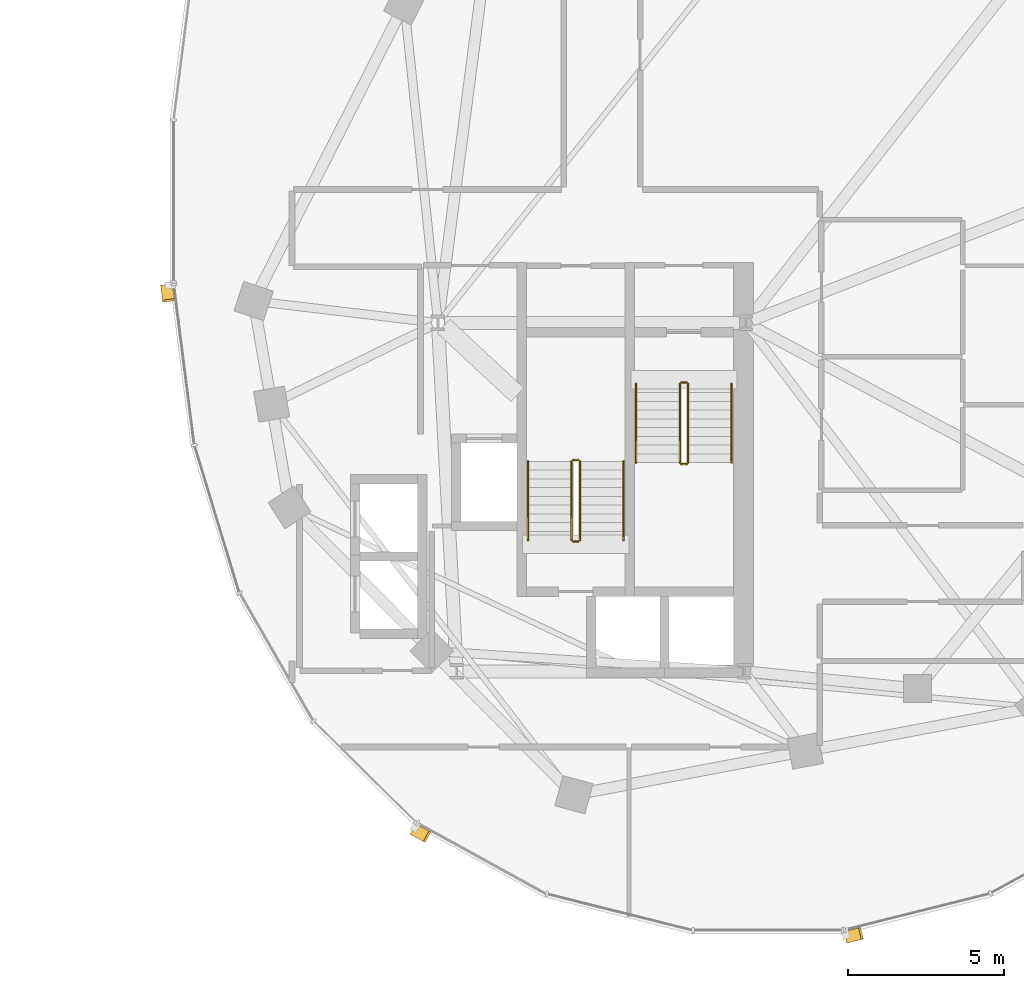
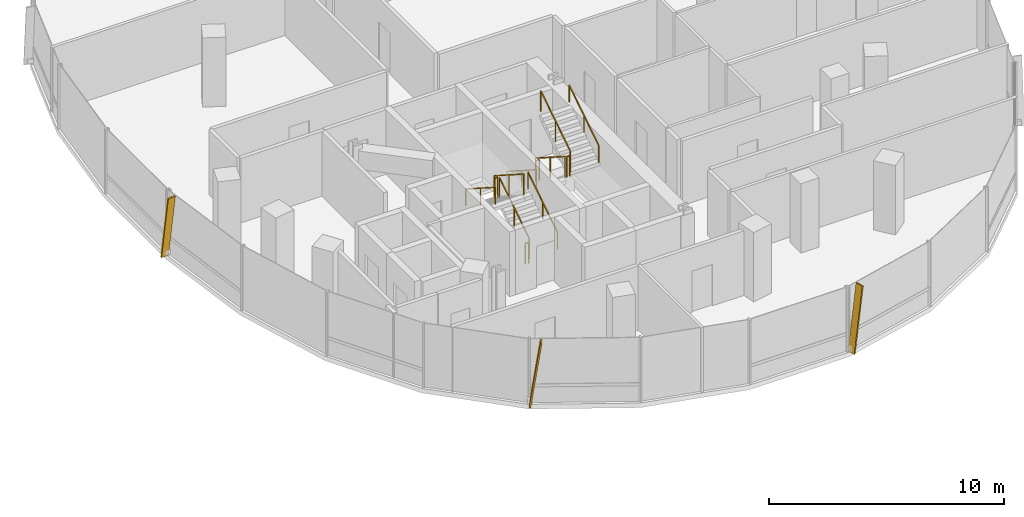
# One storey, part 21 of 22: 12 railings, 3 shading devices.
"""IFC4 building model written with IfcOpenShell, lengths in metres."""

from ifc_helpers import new_model, si_unit, direction, frame, origin, origin_2d, place, context, subcontext, project, spatial, rectangle, extrude, material, material_profile, profile_set, type_object, element, save


model = new_model("IFC4")

# Units and contexts
model_context = context("Model", 3, precision=1e-05, world=origin(), true_north=direction((0.0, 1.0)))
body_context = subcontext(model_context, "Body", "Model", "MODEL_VIEW")
ifc_project = project(units=[si_unit("LENGTHUNIT", "METRE"), si_unit("AREAUNIT", "SQUARE_METRE"), si_unit("VOLUMEUNIT", "CUBIC_METRE"), si_unit("PLANEANGLEUNIT", "RADIAN"), si_unit("MASSUNIT", "GRAM", prefix="KILO"), si_unit("THERMODYNAMICTEMPERATUREUNIT", "KELVIN"), si_unit("POWERUNIT", "WATT")], contexts=[model_context])

# Site, building, storey
site_placement = place(None, origin())
site = spatial("IfcSite", under=ifc_project, at=site_placement, CompositionType="ELEMENT")
building_placement = place(site_placement, origin())
building = spatial("IfcBuilding", under=site, at=building_placement, Name="Cundina Bronze Exchange", CompositionType="ELEMENT")
storey_placement = place(building_placement, frame((0.0, 0.0, 147.60009765625)))
storey = spatial("IfcBuildingStorey", under=building, at=storey_placement, Name="L38", CompositionType="ELEMENT", Elevation=147.60009765625)

# Railings
ifc_material_1 = material(Name="Steel ASTM A36 Painted", Category="steel")
railing_type_1 = type_object("IfcRailingType", Name="RLG-HND-900", PredefinedType="HANDRAIL", material=ifc_material_1)
railing_1_placement = place(storey_placement, frame((27.7900390625, -5.85009765625, 0.179931640625)))
element("IfcRailing", 1, at=railing_1_placement, inside=storey, type_object=railing_type_1, Name="L38 ST-E1 stair handrail 1", PredefinedType="HANDRAIL", context=body_context, shape_type="SweptSolid", body=[
    extrude(rectangle(XDim=0.048095703125, YDim=0.048095703125, at=origin_2d()), frame((0.0, 0.0, 0.8759765625), z_axis=(0.0, -0.841199657755, 0.540724639528), x_axis=(1.0, 0.0, 0.0)), (0.0, 0.0, 1.0), 2.995849609375),
    extrude(rectangle(XDim=0.0419921875, YDim=0.0419921875, at=origin_2d()), origin(), (0.0, 0.0, 1.0), 0.851806640625),
    extrude(rectangle(XDim=0.0419921875, YDim=0.0419921875, at=origin_2d()), frame((0.0, -1.260009765625, 0.81005859375)), (0.0, 0.0, 1.0), 0.851806640625),
    extrude(rectangle(XDim=0.0419921875, YDim=0.0419921875, at=origin_2d()), frame((0.0, -2.52001953125, 1.619873046875)), (0.0, 0.0, 1.0), 0.851806640625),
])
for number, where, name in (
    (2, (30.85009765625, -8.3701171875, 1.97998046875), "L38 ST-E1 stair handrail 2"),
    (3, (27.389892578125, -10.85009765625, 0.179931640625), "L38 ST-E2 stair handrail 1"),
):
    element("IfcRailing", number, at=place(storey_placement, frame(where)), inside=storey, type_object=railing_type_1, Name=name, PredefinedType="HANDRAIL", context=body_context, shape_type="SweptSolid", body=[
        extrude(rectangle(XDim=0.048095703125, YDim=0.048095703125, at=origin_2d()), frame((0.0, 0.0, 0.8759765625), z_axis=(0.0, 0.841199657755, 0.540724639528), x_axis=(-1.0, 0.0, 0.0)), (0.0, 0.0, 1.0), 2.995849609375),
        extrude(rectangle(XDim=0.0419921875, YDim=0.0419921875, at=origin_2d()), origin(), (0.0, 0.0, 1.0), 0.851806640625),
        extrude(rectangle(XDim=0.0419921875, YDim=0.0419921875, at=origin_2d()), frame((0.0, 1.260009765625, 0.81005859375)), (0.0, 0.0, 1.0), 0.851806640625),
        extrude(rectangle(XDim=0.0419921875, YDim=0.0419921875, at=origin_2d()), frame((0.0, 2.52001953125, 1.619873046875)), (0.0, 0.0, 1.0), 0.851806640625),
    ])
railing_2_placement = place(storey_placement, frame((24.330078125, -8.330078125, 1.97998046875)))
element("IfcRailing", 4, at=railing_2_placement, inside=storey, type_object=railing_type_1, Name="L38 ST-E2 stair handrail 2", PredefinedType="HANDRAIL", context=body_context, shape_type="SweptSolid", body=[
    extrude(rectangle(XDim=0.048095703125, YDim=0.048095703125, at=origin_2d()), frame((0.0, 0.0, 0.8759765625), z_axis=(0.0, -0.841199657755, 0.540724639528), x_axis=(1.0, 0.0, 0.0)), (0.0, 0.0, 1.0), 2.995849609375),
    extrude(rectangle(XDim=0.0419921875, YDim=0.0419921875, at=origin_2d()), origin(), (0.0, 0.0, 1.0), 0.851806640625),
    extrude(rectangle(XDim=0.0419921875, YDim=0.0419921875, at=origin_2d()), frame((0.0, -1.260009765625, 0.81005859375)), (0.0, 0.0, 1.0), 0.851806640625),
    extrude(rectangle(XDim=0.0419921875, YDim=0.0419921875, at=origin_2d()), frame((0.0, -2.52001953125, 1.619873046875)), (0.0, 0.0, 1.0), 0.851806640625),
])
railing_type_2 = type_object("IfcRailingType", Name="RLG-STG-1100", PredefinedType="GUARDRAIL", material=ifc_material_1)
railing_3_placement = place(storey_placement, frame((29.18994140625, -5.85009765625, 0.179931640625)))
element("IfcRailing", 5, at=railing_3_placement, inside=storey, type_object=railing_type_2, Name="L38 ST-E1 stair guard 1", PredefinedType="GUARDRAIL", context=body_context, shape_type="SweptSolid", body=[
    extrude(rectangle(XDim=0.048095703125, YDim=0.048095703125, at=origin_2d()), frame((0.0, 0.0, 1.076171875), z_axis=(0.0, -0.841199657755, 0.540724639528), x_axis=(1.0, 0.0, 0.0)), (0.0, 0.0, 1.0), 2.995849609375),
    extrude(rectangle(XDim=0.0419921875, YDim=0.0419921875, at=origin_2d()), origin(), (0.0, 0.0, 1.0), 1.052001953125),
    extrude(rectangle(XDim=0.0419921875, YDim=0.0419921875, at=origin_2d()), frame((0.0, -1.260009765625, 0.81005859375)), (0.0, 0.0, 1.0), 1.052001953125),
    extrude(rectangle(XDim=0.0419921875, YDim=0.0419921875, at=origin_2d()), frame((0.0, -2.52001953125, 1.619873046875)), (0.0, 0.0, 1.0), 1.052001953125),
])
railing_4_placement = place(storey_placement, frame((29.239990234375, -8.419921875, 1.7998046875)))
element("IfcRailing", 6, at=railing_4_placement, inside=storey, type_object=railing_type_2, Name="L38 ST-E1 stair guard 2", PredefinedType="GUARDRAIL", context=body_context, shape_type="SweptSolid", body=[
    extrude(rectangle(XDim=0.048095703125, YDim=0.048095703125, at=origin_2d()), frame((0.0, 0.0, 1.076171875), z_axis=(1.0, 0.0, 0.0), x_axis=(0.0, 1.0, 0.0)), (0.0, 0.0, 1.0), 0.159912109375),
    extrude(rectangle(XDim=0.0419921875, YDim=0.0419921875, at=origin_2d()), origin(), (0.0, 0.0, 1.0), 1.052001953125),
    extrude(rectangle(XDim=0.0419921875, YDim=0.0419921875, at=origin_2d()), frame((0.159912109375, 0.0, 0.0)), (0.0, 0.0, 1.0), 1.052001953125),
])
railing_5_placement = place(storey_placement, frame((29.449951171875, -8.3701171875, 1.97998046875)))
element("IfcRailing", 7, at=railing_5_placement, inside=storey, type_object=railing_type_2, Name="L38 ST-E1 stair guard 3", PredefinedType="GUARDRAIL", context=body_context, shape_type="SweptSolid", body=[
    extrude(rectangle(XDim=0.048095703125, YDim=0.048095703125, at=origin_2d()), frame((0.0, 0.0, 1.076171875), z_axis=(0.0, 0.841199657755, 0.540724639528), x_axis=(-1.0, 0.0, 0.0)), (0.0, 0.0, 1.0), 2.995849609375),
    extrude(rectangle(XDim=0.0419921875, YDim=0.0419921875, at=origin_2d()), origin(), (0.0, 0.0, 1.0), 1.052001953125),
    extrude(rectangle(XDim=0.0419921875, YDim=0.0419921875, at=origin_2d()), frame((0.0, 1.260009765625, 0.81005859375)), (0.0, 0.0, 1.0), 1.052001953125),
    extrude(rectangle(XDim=0.0419921875, YDim=0.0419921875, at=origin_2d()), frame((0.0, 2.52001953125, 1.619873046875)), (0.0, 0.0, 1.0), 1.052001953125),
])
railing_6_placement = place(storey_placement, frame((29.239990234375, -5.800048828125, 0.0)))
element("IfcRailing", 8, at=railing_6_placement, inside=storey, type_object=railing_type_2, Name="L38 ST-E1 stair guard 4", PredefinedType="GUARDRAIL", context=body_context, shape_type="SweptSolid", body=[
    extrude(rectangle(XDim=0.048095703125, YDim=0.048095703125, at=origin_2d()), frame((0.0, 0.0, 1.076171875), z_axis=(1.0, 0.0, 0.0), x_axis=(0.0, 1.0, 0.0)), (0.0, 0.0, 1.0), 0.159912109375),
    extrude(rectangle(XDim=0.0419921875, YDim=0.0419921875, at=origin_2d()), origin(), (0.0, 0.0, 1.0), 1.052001953125),
    extrude(rectangle(XDim=0.0419921875, YDim=0.0419921875, at=origin_2d()), frame((0.159912109375, 0.0, 0.0)), (0.0, 0.0, 1.0), 1.052001953125),
])
railing_7_placement = place(storey_placement, frame((25.989990234375, -10.85009765625, 0.179931640625)))
element("IfcRailing", 9, at=railing_7_placement, inside=storey, type_object=railing_type_2, Name="L38 ST-E2 stair guard 1", PredefinedType="GUARDRAIL", context=body_context, shape_type="SweptSolid", body=[
    extrude(rectangle(XDim=0.048095703125, YDim=0.048095703125, at=origin_2d()), frame((0.0, 0.0, 1.076171875), z_axis=(0.0, 0.841199657755, 0.540724639528), x_axis=(-1.0, 0.0, 0.0)), (0.0, 0.0, 1.0), 2.995849609375),
    extrude(rectangle(XDim=0.0419921875, YDim=0.0419921875, at=origin_2d()), origin(), (0.0, 0.0, 1.0), 1.052001953125),
    extrude(rectangle(XDim=0.0419921875, YDim=0.0419921875, at=origin_2d()), frame((0.0, 1.260009765625, 0.81005859375)), (0.0, 0.0, 1.0), 1.052001953125),
    extrude(rectangle(XDim=0.0419921875, YDim=0.0419921875, at=origin_2d()), frame((0.0, 2.52001953125, 1.619873046875)), (0.0, 0.0, 1.0), 1.052001953125),
])
railing_8_placement = place(storey_placement, frame((25.93994140625, -8.280029296875, 1.7998046875)))
element("IfcRailing", 10, at=railing_8_placement, inside=storey, type_object=railing_type_2, Name="L38 ST-E2 stair guard 2", PredefinedType="GUARDRAIL", context=body_context, shape_type="SweptSolid", body=[
    extrude(rectangle(XDim=0.048095703125, YDim=0.048095703125, at=origin_2d()), frame((0.0, 0.0, 1.076171875), z_axis=(-1.0, 0.0, 0.0), x_axis=(0.0, -1.0, 0.0)), (0.0, 0.0, 1.0), 0.159912109375),
    extrude(rectangle(XDim=0.0419921875, YDim=0.0419921875, at=origin_2d()), origin(), (0.0, 0.0, 1.0), 1.052001953125),
    extrude(rectangle(XDim=0.0419921875, YDim=0.0419921875, at=origin_2d()), frame((-0.159912109375, 0.0, 0.0)), (0.0, 0.0, 1.0), 1.052001953125),
])
railing_9_placement = place(storey_placement, frame((25.72998046875, -8.330078125, 1.97998046875)))
element("IfcRailing", 11, at=railing_9_placement, inside=storey, type_object=railing_type_2, Name="L38 ST-E2 stair guard 3", PredefinedType="GUARDRAIL", context=body_context, shape_type="SweptSolid", body=[
    extrude(rectangle(XDim=0.048095703125, YDim=0.048095703125, at=origin_2d()), frame((0.0, 0.0, 1.076171875), z_axis=(0.0, -0.841199657755, 0.540724639528), x_axis=(1.0, 0.0, 0.0)), (0.0, 0.0, 1.0), 2.995849609375),
    extrude(rectangle(XDim=0.0419921875, YDim=0.0419921875, at=origin_2d()), origin(), (0.0, 0.0, 1.0), 1.052001953125),
    extrude(rectangle(XDim=0.0419921875, YDim=0.0419921875, at=origin_2d()), frame((0.0, -1.260009765625, 0.81005859375)), (0.0, 0.0, 1.0), 1.052001953125),
    extrude(rectangle(XDim=0.0419921875, YDim=0.0419921875, at=origin_2d()), frame((0.0, -2.52001953125, 1.619873046875)), (0.0, 0.0, 1.0), 1.052001953125),
])
railing_10_placement = place(storey_placement, frame((25.93994140625, -10.89990234375, 0.0)))
element("IfcRailing", 12, at=railing_10_placement, inside=storey, type_object=railing_type_2, Name="L38 ST-E2 stair guard 4", PredefinedType="GUARDRAIL", context=body_context, shape_type="SweptSolid", body=[
    extrude(rectangle(XDim=0.048095703125, YDim=0.048095703125, at=origin_2d()), frame((0.0, 0.0, 1.076171875), z_axis=(-1.0, 0.0, 0.0), x_axis=(0.0, -1.0, 0.0)), (0.0, 0.0, 1.0), 0.159912109375),
    extrude(rectangle(XDim=0.0419921875, YDim=0.0419921875, at=origin_2d()), origin(), (0.0, 0.0, 1.0), 1.052001953125),
    extrude(rectangle(XDim=0.0419921875, YDim=0.0419921875, at=origin_2d()), frame((-0.159912109375, 0.0, 0.0)), (0.0, 0.0, 1.0), 1.052001953125),
])

# Shading devices
ifc_material_2 = material(Name="Anodised Bronze Aluminium 6063-T6", Category="aluminium")
ifc_material_profile = material_profile(ifc_material_2, rectangle(XDim=0.070068359375, YDim=0.3798828125, at=origin_2d()), Name="FIN70X380", Category="aluminium")
ifc_profile_set = profile_set([ifc_material_profile], Name="Anodised Bronze Aluminium 6063-T6")
shading_device_type = type_object("IfcShadingDeviceType", Name="SHD-FIN-BRZ380", PredefinedType="USERDEFINED", material=ifc_profile_set)
for number, where, z_axis, x_axis, name in (
    (13, (12.76513671875, -2.705810546875, 0.02001953125), (0.018123110499, -0.141927973785, 0.989711070527), (-0.125360600332, 0.981739641151, 0.143080386066), "L38 Diagonal Bronze Solar Fin 1"),
    (14, (20.679931640625, -20.11181640625, 0.02001953125), (0.125333488691, -0.068998924088, 0.989712415345), (-0.867010347902, 0.477308832643, 0.143071083426), "L38 Diagonal Bronze Solar Fin 5"),
    (15, (34.51953125, -23.556396484375, 0.02001953125), (0.138798398751, 0.034717795597, 0.989711917263), (-0.960131970194, -0.240158861973, 0.143074528925), "L38 Diagonal Bronze Solar Fin 1"),
):
    element("IfcShadingDevice", number, at=place(storey_placement, frame(where, z_axis=z_axis, x_axis=x_axis)), inside=storey, type_object=shading_device_type, Name=name, ObjectType="FIN", PredefinedType="USERDEFINED", context=body_context, shape_type="SweptSolid", body=[
        extrude(rectangle(XDim=0.070068359375, YDim=0.3798828125, at=origin_2d()), origin(), (0.0, 0.0, 1.0), 3.354248046875),
    ])

save(model, "model.ifc")
